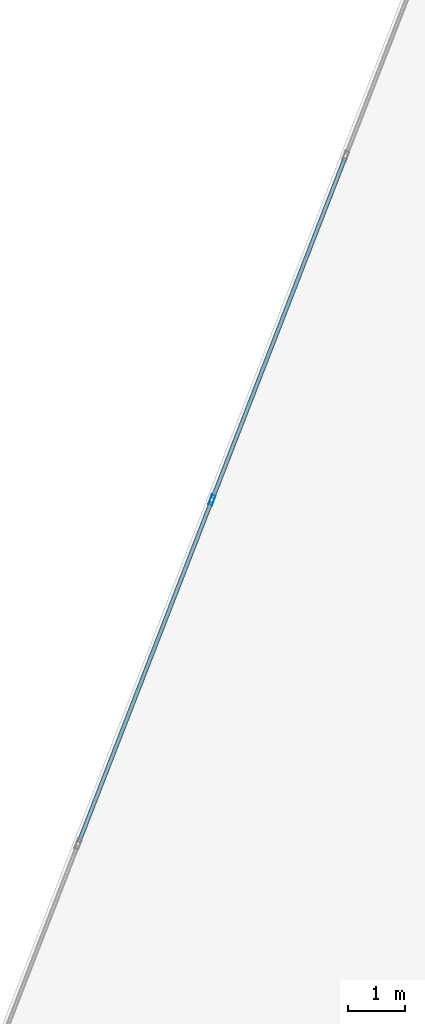
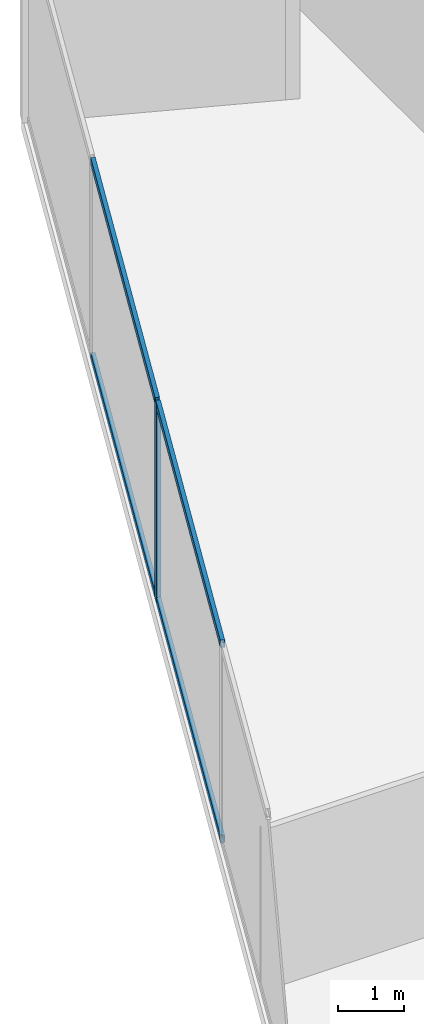
# One storey, part 14 of 26: 5 members, 1 element without a shape of its own.
"""IFC4 building model written with IfcOpenShell, lengths in metres."""

from ifc_helpers import new_model, si_unit, direction, frame, origin, origin_2d, place, context, subcontext, project, spatial, hollow_rectangle, extrude, source, transform, mapped, material, material_profile, profile_set, type_object, type_shapes, element, aggregate, save


model = new_model("IFC4")

# Units and contexts
model_context = context("Model", 3, precision=1e-05, world=origin(), true_north=direction((0.0, 1.0)))
body_context = subcontext(model_context, "Body", "Model", "MODEL_VIEW")
ifc_project = project(units=[si_unit("LENGTHUNIT", "METRE"), si_unit("AREAUNIT", "SQUARE_METRE"), si_unit("VOLUMEUNIT", "CUBIC_METRE"), si_unit("PLANEANGLEUNIT", "RADIAN"), si_unit("MASSUNIT", "GRAM", prefix="KILO")], contexts=[model_context])

# Site, building, storey
site_placement = place(None, origin())
site = spatial("IfcSite", under=ifc_project, at=site_placement, CompositionType="ELEMENT")
building_placement = place(site_placement, origin())
building = spatial("IfcBuilding", under=site, at=building_placement, Name="Krantzveldt Concourse Tower", CompositionType="ELEMENT")
storey_placement = place(building_placement, frame((0.0, 0.0, 129.550048828125)))
storey = spatial("IfcBuildingStorey", under=building, at=storey_placement, Name="L31", CompositionType="ELEMENT", Elevation=129.550048828125)

# Curtain wall, members
ifc_material = material(Name="Anodised aluminium 6063-T6", Category="aluminium")
curtain_wall_type = type_object("IfcCurtainWallType", Name="CW2", PredefinedType="USERDEFINED", material=ifc_material)
curtain_wall_placement = place(storey_placement, origin())
curtain_wall = element("IfcCurtainWall", 1, at=curtain_wall_placement, inside=storey, type_object=curtain_wall_type, Name="CW-L31-F01", ObjectType="UNITISED CURTAIN WALL", PredefinedType="USERDEFINED")
ifc_material_profile_1 = material_profile(ifc_material, hollow_rectangle(XDim=0.070068359375, YDim=0.179931640625, WallThickness=0.0048828125, at=origin_2d()), Name="Anodised aluminium 6063-T6", Category="aluminium")
ifc_profile_set_1 = profile_set([ifc_material_profile_1], Name="Anodised aluminium 6063-T6 - ALU-MULL 180x70x5")
member_type_1 = type_object("IfcMemberType", Name="CW-MUL-180", PredefinedType="MULLION", material=ifc_profile_set_1)
shared_shape_1 = source(origin(), body_context, "Body", "SweptSolid", [
    extrude(hollow_rectangle(XDim=0.070068359375, YDim=0.179931640625, WallThickness=0.0048828125, at=origin_2d()), origin(), (0.0, 0.0, 1.0), 3.669921875),
])
type_shapes(member_type_1, [shared_shape_1])
member_1_placement = place(storey_placement, frame((16.61865234375, 41.17529296875, 0.0), z_axis=(0.0, 0.0, 1.0), x_axis=(0.93200790248, -0.362437952917, 0.0)))
member_1 = element("IfcMember", 2, at=member_1_placement, type_object=member_type_1, Name="CW-Z12 mullion 3", PredefinedType="MULLION", context=body_context, shape_type="MappedRepresentation", body=[
    mapped(shared_shape_1, transform((0.0, 0.0, 0.0), x_axis=(1.0, 0.0, 0.0), y_axis=(0.0, 1.0, 0.0), z_axis=(0.0, 0.0, 1.0), scale=1.0)),
])
ifc_material_profile_2 = material_profile(ifc_material, hollow_rectangle(XDim=0.070068359375, YDim=0.139892578125, WallThickness=0.0048828125, at=origin_2d()), Name="Anodised aluminium 6063-T6", Category="aluminium")
ifc_profile_set_2 = profile_set([ifc_material_profile_2], Name="Anodised aluminium 6063-T6 - ALU-TRAN 140x70x5")
member_type_2 = type_object("IfcMemberType", Name="CW-TRN-150", PredefinedType="USERDEFINED", material=ifc_profile_set_2)
shared_shape_2 = source(origin(), body_context, "Body", "SweptSolid", [
    extrude(hollow_rectangle(XDim=0.070068359375, YDim=0.139892578125, WallThickness=0.0048828125, at=origin_2d()), origin(), (0.0, 0.0, 1.0), 6.396484375),
])
type_shapes(member_type_2, [shared_shape_2])
member_2_placement = place(storey_placement, frame((18.94970703125, 47.169677734375, 0.034912109375), z_axis=(-0.36243705186, -0.932008252882, 0.0), x_axis=(0.932008252882, -0.36243705186, 0.0)))
member_2 = element("IfcMember", 3, at=member_2_placement, type_object=member_type_2, Name="CW-Z12 transom 2.1", ObjectType="TRANSOM", PredefinedType="USERDEFINED", context=body_context, shape_type="MappedRepresentation", body=[
    mapped(shared_shape_2, transform((0.0, 0.0, 0.0), x_axis=(1.0, 0.0, 0.0), y_axis=(0.0, 1.0, 0.0), z_axis=(0.0, 0.0, 1.0), scale=1.0)),
])
member_3_placement = place(storey_placement, frame((18.94970703125, 47.169677734375, 3.635009765625), z_axis=(-0.36243705186, -0.932008252882, 0.0), x_axis=(0.932008252882, -0.36243705186, 0.0)))
member_3 = element("IfcMember", 4, at=member_3_placement, type_object=member_type_2, Name="CW-Z12 transom 2.2", ObjectType="TRANSOM", PredefinedType="USERDEFINED", context=body_context, shape_type="MappedRepresentation", body=[
    mapped(shared_shape_2, transform((0.0, 0.0, 0.0), x_axis=(1.0, 0.0, 0.0), y_axis=(0.0, 1.0, 0.0), z_axis=(0.0, 0.0, 1.0), scale=1.0)),
])
member_4_placement = place(storey_placement, frame((16.60595703125, 41.142822265625, 0.034912109375), z_axis=(-0.36243705186, -0.932008252882, 0.0), x_axis=(0.932008252882, -0.36243705186, 0.0)))
member_4 = element("IfcMember", 5, at=member_4_placement, type_object=member_type_2, Name="CW-Z12 transom 3.1", ObjectType="TRANSOM", PredefinedType="USERDEFINED", context=body_context, shape_type="MappedRepresentation", body=[
    mapped(shared_shape_2, transform((0.0, 0.0, 0.0), x_axis=(1.0, 0.0, 0.0), y_axis=(0.0, 1.0, 0.0), z_axis=(0.0, 0.0, 1.0), scale=1.0)),
])
member_5_placement = place(storey_placement, frame((16.60595703125, 41.142822265625, 3.635009765625), z_axis=(-0.36243705186, -0.932008252882, 0.0), x_axis=(0.932008252882, -0.36243705186, 0.0)))
member_5 = element("IfcMember", 6, at=member_5_placement, type_object=member_type_2, Name="CW-Z12 transom 3.2", ObjectType="TRANSOM", PredefinedType="USERDEFINED", context=body_context, shape_type="MappedRepresentation", body=[
    mapped(shared_shape_2, transform((0.0, 0.0, 0.0), x_axis=(1.0, 0.0, 0.0), y_axis=(0.0, 1.0, 0.0), z_axis=(0.0, 0.0, 1.0), scale=1.0)),
])
aggregate(curtain_wall, [member_1, member_2, member_3, member_4, member_5])

save(model, "model.ifc")
